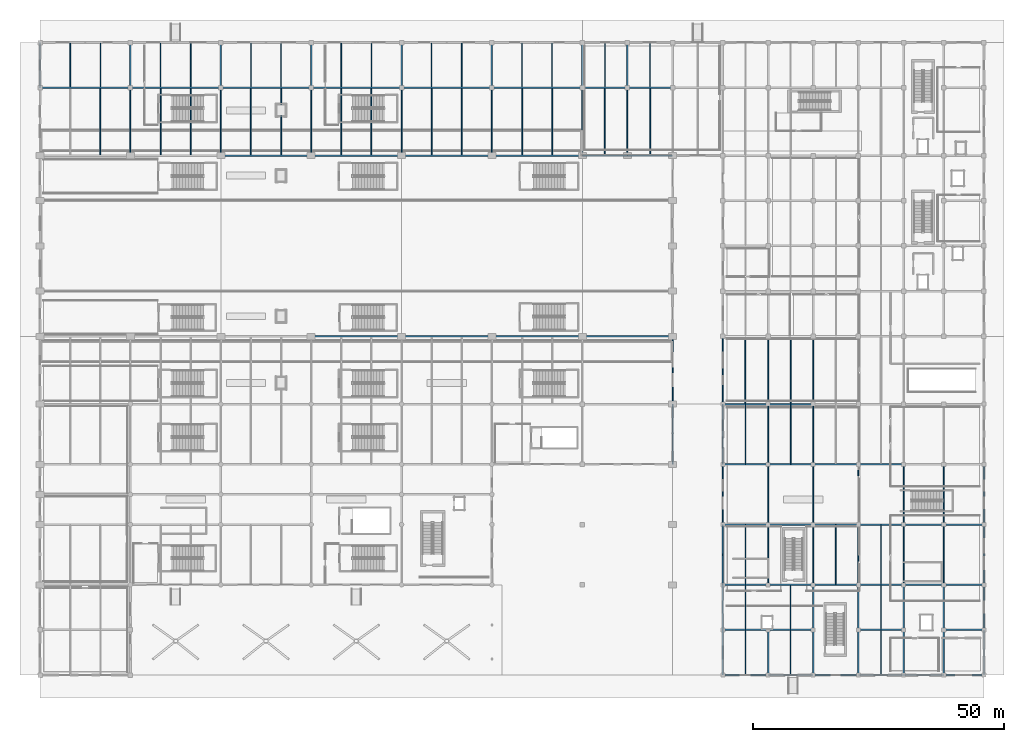
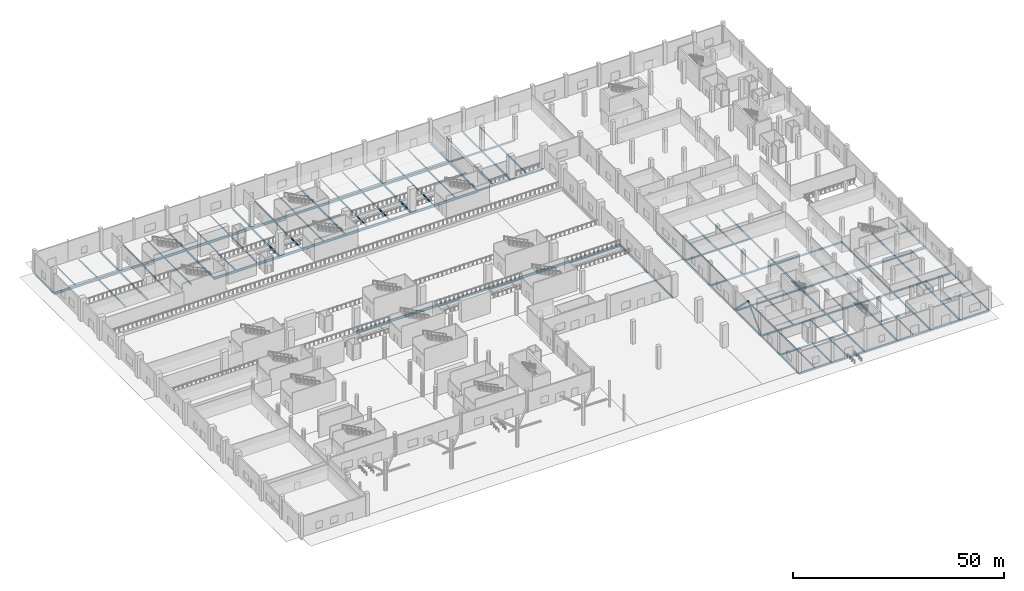
# One storey, part 9 of 65: 136 beams, 2 members.
"""IFC4 building model written with IfcOpenShell, lengths in metres."""

from ifc_helpers import new_model, si_unit, direction, frame, origin, origin_2d, place, context, subcontext, project, spatial, i_section, extrude, material, material_profile, profile_set, type_object, element, save


model = new_model("IFC4")

# Units and contexts
model_context = context("Model", 3, precision=1e-05, world=origin(), true_north=direction((0.0, 1.0)))
body_context = subcontext(model_context, "Body", "Model", "MODEL_VIEW")
ifc_project = project(units=[si_unit("LENGTHUNIT", "METRE"), si_unit("AREAUNIT", "SQUARE_METRE"), si_unit("VOLUMEUNIT", "CUBIC_METRE"), si_unit("PLANEANGLEUNIT", "RADIAN"), si_unit("MASSUNIT", "GRAM", prefix="KILO")], contexts=[model_context])

# Site, building, storey
site_placement = place(None, origin())
site = spatial("IfcSite", under=ifc_project, at=site_placement, CompositionType="ELEMENT")
building_placement = place(site_placement, origin())
building = spatial("IfcBuilding", under=site, at=building_placement, Name="Chuanluo Vaults Station", CompositionType="ELEMENT")
storey_placement = place(building_placement, origin())
storey = spatial("IfcBuildingStorey", under=building, at=storey_placement, Name="L00", CompositionType="ELEMENT", Elevation=0.0)

# Beams
ifc_material_1 = material(Name="Steel Q355C", Category="steel")
ifc_material_profile_1 = material_profile(ifc_material_1, i_section(OverallWidth=0.300048828125, OverallDepth=0.389892578125, WebThickness=0.010009765625, FlangeThickness=0.01611328125, FilletRadius=0.02001953125, at=origin_2d()))
ifc_profile_set_1 = profile_set([ifc_material_profile_1], Name="Steel Q355C")
beam_type_1 = type_object("IfcBeamType", Name="BM-GRD-400", PredefinedType="BEAM", material=ifc_profile_set_1)
for number, where, z_axis, x_axis, name in (
    (1, (18.0, 117.0, -0.514892578125), (0.0, 1.0, 0.0), (-1.0, 0.0, 0.0), "Floor girder BM:GY:L00:0157"),
    (2, (36.0, 117.0, -0.514892578125), (0.0, 1.0, 0.0), (-1.0, 0.0, 0.0), "Floor girder BM:GY:L00:0164"),
    (3, (54.0, 117.0, -0.514892578125), (0.0, 1.0, 0.0), (-1.0, 0.0, 0.0), "Floor girder BM:GY:L00:0171"),
    (4, (72.0, 117.0, -0.514892578125), (0.0, 1.0, 0.0), (-1.0, 0.0, 0.0), "Floor girder BM:GY:L00:0178"),
    (5, (90.0, 117.0, -0.514892578125), (0.0, 1.0, 0.0), (-1.0, 0.0, 0.0), "Floor girder BM:GY:L00:0185"),
    (6, (108.0, 117.0, -0.514892578125), (0.0, 1.0, 0.0), (-1.0, 0.0, 0.0), "Floor girder BM:GY:L00:0189"),
    (7, (117.0, 117.0, -0.514892578125), (0.0, 1.0, 0.0), (-1.0, 0.0, 0.0), "Floor girder BM:GY:L00:0191"),
    (8, (136.0, 0.0, -0.4951171875), (0.0, 1.0, 0.0), (-1.0, 0.0, 0.0), "Floor girder BM:GY:L00:0198"),
    (9, (136.0, 9.0, -0.4951171875), (0.0, 1.0, 0.0), (-1.0, 0.0, 0.0), "Floor girder BM:GY:L00:0199"),
    (10, (145.0, 0.0, -0.4951171875), (0.0, 1.0, 0.0), (-1.0, 0.0, 0.0), "Floor girder BM:GY:L00:0210"),
    (11, (154.0, 0.0, -0.4951171875), (0.0, 1.0, 0.0), (-1.0, 0.0, 0.0), "Floor girder BM:GY:L00:0221"),
    (12, (154.0, 9.0, -0.4951171875), (0.0, 1.0, 0.0), (-1.0, 0.0, 0.0), "Floor girder BM:GY:L00:0222"),
    (13, (163.0, 0.0, -0.4951171875), (0.0, 1.0, 0.0), (-1.0, 0.0, 0.0), "Floor girder BM:GY:L00:0232"),
    (14, (163.0, 9.0, -0.4951171875), (0.0, 1.0, 0.0), (-1.0, 0.0, 0.0), "Floor girder BM:GY:L00:0233"),
    (15, (172.0, 0.0, -0.4951171875), (0.0, 1.0, 0.0), (-1.0, 0.0, 0.0), "Floor girder BM:GY:L00:0244"),
    (16, (172.0, 9.0, -0.4951171875), (0.0, 1.0, 0.0), (-1.0, 0.0, 0.0), "Floor girder BM:GY:L00:0245"),
    (17, (180.0, 0.0, -0.4951171875), (0.0, 1.0, 0.0), (-1.0, 0.0, 0.0), "Floor girder BM:GY:L00:0256"),
    (18, (180.0, 9.0, -0.4951171875), (0.0, 1.0, 0.0), (-1.0, 0.0, 0.0), "Floor girder BM:GY:L00:0257"),
):
    element("IfcBeam", number, at=place(storey_placement, frame(where, z_axis=z_axis, x_axis=x_axis)), inside=storey, type_object=beam_type_1, Name=name, PredefinedType="BEAM", context=body_context, shape_type="SweptSolid", body=[
        extrude(i_section(OverallWidth=0.300048828125, OverallDepth=0.389892578125, WebThickness=0.010009765625, FlangeThickness=0.01611328125, FilletRadius=0.02001953125, at=origin_2d()), origin(), (0.0, 0.0, 1.0), 9.0),
    ])
ifc_material_2 = material(Name="Steel Q355C", Category="steel")
ifc_material_profile_2 = material_profile(ifc_material_2, i_section(OverallWidth=0.300048828125, OverallDepth=0.43994140625, WebThickness=0.010986328125, FlangeThickness=0.01806640625, FilletRadius=0.02001953125, at=origin_2d()))
ifc_profile_set_2 = profile_set([ifc_material_profile_2], Name="Steel Q355C")
beam_type_2 = type_object("IfcBeamType", Name="BM-GRD-450", PredefinedType="USERDEFINED", material=ifc_profile_set_2)
for number, where, z_axis, x_axis, name in (
    (19, (136.0, 9.0, -0.52001953125), (1.0, 0.0, 0.0), (0.0, 1.0, 0.0), "Floor girder BM:GX:L00:0009"),
    (20, (145.0, 9.0, -0.52001953125), (1.0, 0.0, 0.0), (0.0, 1.0, 0.0), "Floor girder BM:GX:L00:0010"),
    (21, (163.0, 9.0, -0.52001953125), (1.0, 0.0, 0.0), (0.0, 1.0, 0.0), "Floor girder BM:GX:L00:0011"),
):
    element("IfcBeam", number, at=place(storey_placement, frame(where, z_axis=z_axis, x_axis=x_axis)), inside=storey, type_object=beam_type_2, Name=name, ObjectType="GIRDER", PredefinedType="USERDEFINED", context=body_context, shape_type="SweptSolid", body=[
        extrude(i_section(OverallWidth=0.300048828125, OverallDepth=0.43994140625, WebThickness=0.010986328125, FlangeThickness=0.01806640625, FilletRadius=0.02001953125, at=origin_2d()), origin(), (0.0, 0.0, 1.0), 9.0),
    ])
beam_1_placement = place(storey_placement, frame((180.0, 9.0, -0.52001953125), z_axis=(1.0, 0.0, 0.0), x_axis=(0.0, 1.0, 0.0)))
element("IfcBeam", 22, at=beam_1_placement, inside=storey, type_object=beam_type_2, Name="Floor girder BM:GX:L00:0012", ObjectType="GIRDER", PredefinedType="USERDEFINED", context=body_context, shape_type="SweptSolid", body=[
    extrude(i_section(OverallWidth=0.300048828125, OverallDepth=0.43994140625, WebThickness=0.010986328125, FlangeThickness=0.01806640625, FilletRadius=0.02001953125, at=origin_2d()), origin(), (0.0, 0.0, 1.0), 8.0),
])
for number, where, z_axis, x_axis, name in (
    (23, (136.0, 18.0, -0.52001953125), (1.0, 0.0, 0.0), (0.0, 1.0, 0.0), "Floor girder BM:GX:L00:0018"),
    (24, (145.0, 18.0, -0.52001953125), (1.0, 0.0, 0.0), (0.0, 1.0, 0.0), "Floor girder BM:GX:L00:0019"),
    (25, (154.0, 18.0, -0.52001953125), (1.0, 0.0, 0.0), (0.0, 1.0, 0.0), "Floor girder BM:GX:L00:0020"),
    (26, (163.0, 18.0, -0.52001953125), (1.0, 0.0, 0.0), (0.0, 1.0, 0.0), "Floor girder BM:GX:L00:0021"),
):
    element("IfcBeam", number, at=place(storey_placement, frame(where, z_axis=z_axis, x_axis=x_axis)), inside=storey, type_object=beam_type_2, Name=name, ObjectType="GIRDER", PredefinedType="USERDEFINED", context=body_context, shape_type="SweptSolid", body=[
        extrude(i_section(OverallWidth=0.300048828125, OverallDepth=0.43994140625, WebThickness=0.010986328125, FlangeThickness=0.01806640625, FilletRadius=0.02001953125, at=origin_2d()), origin(), (0.0, 0.0, 1.0), 9.0),
    ])
for number, where, z_axis, x_axis, name in (
    (27, (172.0, 18.0, -0.52001953125), (1.0, 0.0, 0.0), (0.0, 1.0, 0.0), "Floor girder BM:GX:L00:0022"),
    (28, (180.0, 18.0, -0.52001953125), (1.0, 0.0, 0.0), (0.0, 1.0, 0.0), "Floor girder BM:GX:L00:0023"),
):
    element("IfcBeam", number, at=place(storey_placement, frame(where, z_axis=z_axis, x_axis=x_axis)), inside=storey, type_object=beam_type_2, Name=name, ObjectType="GIRDER", PredefinedType="USERDEFINED", context=body_context, shape_type="SweptSolid", body=[
        extrude(i_section(OverallWidth=0.300048828125, OverallDepth=0.43994140625, WebThickness=0.010986328125, FlangeThickness=0.01806640625, FilletRadius=0.02001953125, at=origin_2d()), origin(), (0.0, 0.0, 1.0), 8.0),
    ])
for number, where, z_axis, x_axis, name in (
    (29, (136.0, 30.0, -0.52001953125), (1.0, 0.0, 0.0), (0.0, 1.0, 0.0), "Floor girder BM:GX:L00:0027"),
    (30, (145.0, 30.0, -0.52001953125), (1.0, 0.0, 0.0), (0.0, 1.0, 0.0), "Floor girder BM:GX:L00:0028"),
    (31, (154.0, 30.0, -0.52001953125), (1.0, 0.0, 0.0), (0.0, 1.0, 0.0), "Floor girder BM:GX:L00:0029"),
    (32, (163.0, 30.0, -0.52001953125), (1.0, 0.0, 0.0), (0.0, 1.0, 0.0), "Floor girder BM:GX:L00:0030"),
):
    element("IfcBeam", number, at=place(storey_placement, frame(where, z_axis=z_axis, x_axis=x_axis)), inside=storey, type_object=beam_type_2, Name=name, ObjectType="GIRDER", PredefinedType="USERDEFINED", context=body_context, shape_type="SweptSolid", body=[
        extrude(i_section(OverallWidth=0.300048828125, OverallDepth=0.43994140625, WebThickness=0.010986328125, FlangeThickness=0.01806640625, FilletRadius=0.02001953125, at=origin_2d()), origin(), (0.0, 0.0, 1.0), 9.0),
    ])
for number, where, z_axis, x_axis, name in (
    (33, (172.0, 30.0, -0.52001953125), (1.0, 0.0, 0.0), (0.0, 1.0, 0.0), "Floor girder BM:GX:L00:0031"),
    (34, (180.0, 30.0, -0.52001953125), (1.0, 0.0, 0.0), (0.0, 1.0, 0.0), "Floor girder BM:GX:L00:0032"),
):
    element("IfcBeam", number, at=place(storey_placement, frame(where, z_axis=z_axis, x_axis=x_axis)), inside=storey, type_object=beam_type_2, Name=name, ObjectType="GIRDER", PredefinedType="USERDEFINED", context=body_context, shape_type="SweptSolid", body=[
        extrude(i_section(OverallWidth=0.300048828125, OverallDepth=0.43994140625, WebThickness=0.010986328125, FlangeThickness=0.01806640625, FilletRadius=0.02001953125, at=origin_2d()), origin(), (0.0, 0.0, 1.0), 8.0),
    ])
for number, where, z_axis, x_axis, name in (
    (35, (136.0, 42.0, -0.52001953125), (1.0, 0.0, 0.0), (0.0, 1.0, 0.0), "Floor girder BM:GX:L00:0045"),
    (36, (145.0, 42.0, -0.52001953125), (1.0, 0.0, 0.0), (0.0, 1.0, 0.0), "Floor girder BM:GX:L00:0046"),
    (37, (154.0, 42.0, -0.52001953125), (1.0, 0.0, 0.0), (0.0, 1.0, 0.0), "Floor girder BM:GX:L00:0047"),
    (38, (163.0, 42.0, -0.52001953125), (1.0, 0.0, 0.0), (0.0, 1.0, 0.0), "Floor girder BM:GX:L00:0048"),
    (39, (136.0, 54.0, -0.52001953125), (1.0, 0.0, 0.0), (0.0, 1.0, 0.0), "Floor girder BM:GX:L00:0058"),
    (40, (145.0, 54.0, -0.52001953125), (1.0, 0.0, 0.0), (0.0, 1.0, 0.0), "Floor girder BM:GX:L00:0059"),
    (41, (108.0, 103.5, -0.60009765625), (1.0, 0.0, 0.0), (0.0, 1.0, 0.0), "Floor girder BM:GX:L00:0100"),
    (42, (117.0, 103.5, -0.60009765625), (1.0, 0.0, 0.0), (0.0, 1.0, 0.0), "Floor girder BM:GX:L00:0101"),
    (43, (108.0, 117.0, -0.5400390625), (1.0, 0.0, 0.0), (0.0, 1.0, 0.0), "Floor girder BM:GX:L00:0115"),
    (44, (117.0, 117.0, -0.5400390625), (1.0, 0.0, 0.0), (0.0, 1.0, 0.0), "Floor girder BM:GX:L00:0116"),
):
    element("IfcBeam", number, at=place(storey_placement, frame(where, z_axis=z_axis, x_axis=x_axis)), inside=storey, type_object=beam_type_2, Name=name, ObjectType="GIRDER", PredefinedType="USERDEFINED", context=body_context, shape_type="SweptSolid", body=[
        extrude(i_section(OverallWidth=0.300048828125, OverallDepth=0.43994140625, WebThickness=0.010986328125, FlangeThickness=0.01806640625, FilletRadius=0.02001953125, at=origin_2d()), origin(), (0.0, 0.0, 1.0), 9.0),
    ])
ifc_material_3 = material(Name="Steel Q355C", Category="steel")
ifc_material_profile_3 = material_profile(ifc_material_3, i_section(OverallWidth=0.199951171875, OverallDepth=0.550048828125, WebThickness=0.010009765625, FlangeThickness=0.01611328125, FilletRadius=0.01806640625, at=origin_2d()))
ifc_profile_set_3 = profile_set([ifc_material_profile_3], Name="Steel Q355C")
beam_type_3 = type_object("IfcBeamType", Name="BM-GRD-550", PredefinedType="USERDEFINED", material=ifc_profile_set_3)
for number, where, z_axis, x_axis, name in (
    (45, (126.0, 42.0, -0.625), (0.0, 1.0, 0.0), (-1.0, 0.0, 0.0), "Floor girder BM:GY:L00:0192"),
    (46, (136.0, 18.0, -0.574951171875), (0.0, 1.0, 0.0), (-1.0, 0.0, 0.0), "Floor girder BM:GY:L00:0200"),
    (47, (136.0, 30.0, -0.574951171875), (0.0, 1.0, 0.0), (-1.0, 0.0, 0.0), "Floor girder BM:GY:L00:0201"),
    (48, (136.0, 42.0, -0.574951171875), (0.0, 1.0, 0.0), (-1.0, 0.0, 0.0), "Floor girder BM:GY:L00:0202"),
    (49, (145.0, 18.0, -0.574951171875), (0.0, 1.0, 0.0), (-1.0, 0.0, 0.0), "Floor girder BM:GY:L00:0211"),
    (50, (145.0, 30.0, -0.574951171875), (0.0, 1.0, 0.0), (-1.0, 0.0, 0.0), "Floor girder BM:GY:L00:0212"),
    (51, (145.0, 42.0, -0.574951171875), (0.0, 1.0, 0.0), (-1.0, 0.0, 0.0), "Floor girder BM:GY:L00:0213"),
    (52, (154.0, 18.0, -0.574951171875), (0.0, 1.0, 0.0), (-1.0, 0.0, 0.0), "Floor girder BM:GY:L00:0223"),
    (53, (154.0, 30.0, -0.574951171875), (0.0, 1.0, 0.0), (-1.0, 0.0, 0.0), "Floor girder BM:GY:L00:0224"),
    (54, (154.0, 42.0, -0.574951171875), (0.0, 1.0, 0.0), (-1.0, 0.0, 0.0), "Floor girder BM:GY:L00:0225"),
    (55, (163.0, 18.0, -0.574951171875), (0.0, 1.0, 0.0), (-1.0, 0.0, 0.0), "Floor girder BM:GY:L00:0234"),
    (56, (163.0, 30.0, -0.574951171875), (0.0, 1.0, 0.0), (-1.0, 0.0, 0.0), "Floor girder BM:GY:L00:0235"),
    (57, (172.0, 18.0, -0.574951171875), (0.0, 1.0, 0.0), (-1.0, 0.0, 0.0), "Floor girder BM:GY:L00:0246"),
    (58, (172.0, 30.0, -0.574951171875), (0.0, 1.0, 0.0), (-1.0, 0.0, 0.0), "Floor girder BM:GY:L00:0247"),
    (59, (180.0, 18.0, -0.574951171875), (0.0, 1.0, 0.0), (-1.0, 0.0, 0.0), "Floor girder BM:GY:L00:0258"),
    (60, (180.0, 30.0, -0.574951171875), (0.0, 1.0, 0.0), (-1.0, 0.0, 0.0), "Floor girder BM:GY:L00:0259"),
):
    element("IfcBeam", number, at=place(storey_placement, frame(where, z_axis=z_axis, x_axis=x_axis)), inside=storey, type_object=beam_type_3, Name=name, ObjectType="GIRDER", PredefinedType="USERDEFINED", context=body_context, shape_type="SweptSolid", body=[
        extrude(i_section(OverallWidth=0.199951171875, OverallDepth=0.550048828125, WebThickness=0.010009765625, FlangeThickness=0.01611328125, FilletRadius=0.01806640625, at=origin_2d()), origin(), (0.0, 0.0, 1.0), 12.0),
    ])
ifc_material_4 = material(Name="Steel Q355C", Category="steel")
ifc_material_profile_4 = material_profile(ifc_material_4, i_section(OverallWidth=0.199951171875, OverallDepth=0.60009765625, WebThickness=0.010986328125, FlangeThickness=0.01708984375, FilletRadius=0.01806640625, at=origin_2d()))
ifc_profile_set_4 = profile_set([ifc_material_profile_4], Name="Steel Q355C")
beam_type_4 = type_object("IfcBeamType", Name="BM-GRD-600", PredefinedType="USERDEFINED", material=ifc_profile_set_4)
for number, where, z_axis, x_axis, name in (
    (61, (18.0, 103.5, -0.679931640625), (0.0, 1.0, 0.0), (-1.0, 0.0, 0.0), "Floor girder BM:GY:L00:0156"),
    (62, (36.0, 103.5, -0.679931640625), (0.0, 1.0, 0.0), (-1.0, 0.0, 0.0), "Floor girder BM:GY:L00:0163"),
    (63, (54.0, 103.5, -0.679931640625), (0.0, 1.0, 0.0), (-1.0, 0.0, 0.0), "Floor girder BM:GY:L00:0170"),
    (64, (72.0, 103.5, -0.679931640625), (0.0, 1.0, 0.0), (-1.0, 0.0, 0.0), "Floor girder BM:GY:L00:0177"),
    (65, (90.0, 103.5, -0.679931640625), (0.0, 1.0, 0.0), (-1.0, 0.0, 0.0), "Floor girder BM:GY:L00:0184"),
    (66, (108.0, 103.5, -0.679931640625), (0.0, 1.0, 0.0), (-1.0, 0.0, 0.0), "Floor girder BM:GY:L00:0188"),
    (67, (117.0, 103.5, -0.6201171875), (0.0, 1.0, 0.0), (-1.0, 0.0, 0.0), "Floor girder BM:GY:L00:0190"),
    (68, (126.0, 54.0, -0.679931640625), (0.0, 1.0, 0.0), (-1.0, 0.0, 0.0), "Floor girder BM:GY:L00:0193"),
    (69, (136.0, 54.0, -0.60009765625), (0.0, 1.0, 0.0), (-1.0, 0.0, 0.0), "Floor girder BM:GY:L00:0203"),
    (70, (145.0, 54.0, -0.60009765625), (0.0, 1.0, 0.0), (-1.0, 0.0, 0.0), "Floor girder BM:GY:L00:0214"),
    (71, (154.0, 54.0, -0.60009765625), (0.0, 1.0, 0.0), (-1.0, 0.0, 0.0), "Floor girder BM:GY:L00:0226"),
):
    element("IfcBeam", number, at=place(storey_placement, frame(where, z_axis=z_axis, x_axis=x_axis)), inside=storey, type_object=beam_type_4, Name=name, ObjectType="GIRDER", PredefinedType="USERDEFINED", context=body_context, shape_type="SweptSolid", body=[
        extrude(i_section(OverallWidth=0.199951171875, OverallDepth=0.60009765625, WebThickness=0.010986328125, FlangeThickness=0.01708984375, FilletRadius=0.01806640625, at=origin_2d()), origin(), (0.0, 0.0, 1.0), 13.5),
    ])
ifc_material_5 = material(Name="Steel Q355C", Category="steel")
ifc_material_profile_5 = material_profile(ifc_material_5, i_section(OverallWidth=0.300048828125, OverallDepth=0.699951171875, WebThickness=0.012939453125, FlangeThickness=0.02392578125, FilletRadius=0.02197265625, at=origin_2d()))
ifc_profile_set_5 = profile_set([ifc_material_profile_5], Name="Steel Q355C")
beam_type_5 = type_object("IfcBeamType", Name="BM-GRD-700", PredefinedType="USERDEFINED", material=ifc_profile_set_5)
for number, where, z_axis, x_axis, name in (
    (72, (54.0, 67.5, -0.72998046875), (1.0, 0.0, 0.0), (0.0, 1.0, 0.0), "Floor girder BM:GX:L00:0067"),
    (73, (72.0, 67.5, -0.72998046875), (1.0, 0.0, 0.0), (0.0, 1.0, 0.0), "Floor girder BM:GX:L00:0068"),
    (74, (90.0, 67.5, -0.72998046875), (1.0, 0.0, 0.0), (0.0, 1.0, 0.0), "Floor girder BM:GX:L00:0069"),
    (75, (108.0, 67.5, -0.72998046875), (1.0, 0.0, 0.0), (0.0, 1.0, 0.0), "Floor girder BM:GX:L00:0070"),
    (76, (36.0, 103.5, -0.72998046875), (1.0, 0.0, 0.0), (0.0, 1.0, 0.0), "Floor girder BM:GX:L00:0096"),
    (77, (54.0, 103.5, -0.72998046875), (1.0, 0.0, 0.0), (0.0, 1.0, 0.0), "Floor girder BM:GX:L00:0097"),
    (78, (72.0, 103.5, -0.72998046875), (1.0, 0.0, 0.0), (0.0, 1.0, 0.0), "Floor girder BM:GX:L00:0098"),
    (79, (90.0, 103.5, -0.72998046875), (1.0, 0.0, 0.0), (0.0, 1.0, 0.0), "Floor girder BM:GX:L00:0099"),
    (80, (0.0, 117.0, -0.72998046875), (1.0, 0.0, 0.0), (0.0, 1.0, 0.0), "Floor girder BM:GX:L00:0109"),
    (81, (18.0, 117.0, -0.72998046875), (1.0, 0.0, 0.0), (0.0, 1.0, 0.0), "Floor girder BM:GX:L00:0110"),
    (82, (36.0, 117.0, -0.72998046875), (1.0, 0.0, 0.0), (0.0, 1.0, 0.0), "Floor girder BM:GX:L00:0111"),
    (83, (54.0, 117.0, -0.72998046875), (1.0, 0.0, 0.0), (0.0, 1.0, 0.0), "Floor girder BM:GX:L00:0112"),
    (84, (72.0, 117.0, -0.72998046875), (1.0, 0.0, 0.0), (0.0, 1.0, 0.0), "Floor girder BM:GX:L00:0113"),
    (85, (90.0, 117.0, -0.72998046875), (1.0, 0.0, 0.0), (0.0, 1.0, 0.0), "Floor girder BM:GX:L00:0114"),
):
    element("IfcBeam", number, at=place(storey_placement, frame(where, z_axis=z_axis, x_axis=x_axis)), inside=storey, type_object=beam_type_5, Name=name, ObjectType="GIRDER", PredefinedType="USERDEFINED", context=body_context, shape_type="SweptSolid", body=[
        extrude(i_section(OverallWidth=0.300048828125, OverallDepth=0.699951171875, WebThickness=0.012939453125, FlangeThickness=0.02392578125, FilletRadius=0.02197265625, at=origin_2d()), origin(), (0.0, 0.0, 1.0), 18.0),
    ])
ifc_material_6 = material(Name="Steel Q355C", Category="steel")
ifc_material_profile_6 = material_profile(ifc_material_6, i_section(OverallWidth=0.125, OverallDepth=0.25, WebThickness=0.006103515625, FlangeThickness=0.009033203125, FilletRadius=0.011962890625, at=origin_2d()))
ifc_profile_set_6 = profile_set([ifc_material_profile_6], Name="Steel Q355C")
beam_type_6 = type_object("IfcBeamType", Name="BM-SEC-250", PredefinedType="JOIST", material=ifc_profile_set_6)
for number, where, z_axis, x_axis, name in (
    (86, (6.0, 117.155029296875, -0.445068359375), (0.0, 1.0, 0.0), (-1.0, 0.0, 0.0), "Composite secondary joist 0013"),
    (87, (12.0, 117.155029296875, -0.445068359375), (0.0, 1.0, 0.0), (-1.0, 0.0, 0.0), "Composite secondary joist 0014"),
    (88, (24.0, 117.155029296875, -0.445068359375), (0.0, 1.0, 0.0), (-1.0, 0.0, 0.0), "Composite secondary joist 0023"),
    (89, (30.0, 117.155029296875, -0.445068359375), (0.0, 1.0, 0.0), (-1.0, 0.0, 0.0), "Composite secondary joist 0024"),
    (90, (42.0, 117.155029296875, -0.445068359375), (0.0, 1.0, 0.0), (-1.0, 0.0, 0.0), "Composite secondary joist 0033"),
    (91, (48.0, 117.155029296875, -0.445068359375), (0.0, 1.0, 0.0), (-1.0, 0.0, 0.0), "Composite secondary joist 0034"),
    (92, (60.0, 117.155029296875, -0.445068359375), (0.0, 1.0, 0.0), (-1.0, 0.0, 0.0), "Composite secondary joist 0041"),
    (93, (66.0, 117.155029296875, -0.445068359375), (0.0, 1.0, 0.0), (-1.0, 0.0, 0.0), "Composite secondary joist 0042"),
    (94, (78.0, 117.155029296875, -0.445068359375), (0.0, 1.0, 0.0), (-1.0, 0.0, 0.0), "Composite secondary joist 0049"),
    (95, (84.0, 117.155029296875, -0.445068359375), (0.0, 1.0, 0.0), (-1.0, 0.0, 0.0), "Composite secondary joist 0050"),
    (96, (96.0, 117.155029296875, -0.445068359375), (0.0, 1.0, 0.0), (-1.0, 0.0, 0.0), "Composite secondary joist 0056"),
    (97, (102.0, 117.155029296875, -0.445068359375), (0.0, 1.0, 0.0), (-1.0, 0.0, 0.0), "Composite secondary joist 0057"),
):
    element("IfcBeam", number, at=place(storey_placement, frame(where, z_axis=z_axis, x_axis=x_axis)), inside=storey, type_object=beam_type_6, Name=name, PredefinedType="JOIST", context=body_context, shape_type="SweptSolid", body=[
        extrude(i_section(OverallWidth=0.125, OverallDepth=0.25, WebThickness=0.006103515625, FlangeThickness=0.009033203125, FilletRadius=0.011962890625, at=origin_2d()), origin(), (0.0, 0.0, 1.0), 8.73486328125),
    ])
for number, where, z_axis, x_axis, name in (
    (98, (112.5, 117.155029296875, -0.445068359375), (0.0, 1.0, 0.0), (-1.0, 0.0, 0.0), "Composite secondary joist 0059"),
    (99, (121.5, 117.155029296875, -0.445068359375), (0.0, 1.0, 0.0), (-1.0, 0.0, 0.0), "Composite secondary joist 0061"),
    (100, (140.5, 0.107421875, -0.425048828125), (0.0, 1.0, 0.0), (-1.0, 0.0, 0.0), "Composite secondary joist 0064"),
):
    element("IfcBeam", number, at=place(storey_placement, frame(where, z_axis=z_axis, x_axis=x_axis)), inside=storey, type_object=beam_type_6, Name=name, PredefinedType="JOIST", context=body_context, shape_type="SweptSolid", body=[
        extrude(i_section(OverallWidth=0.125, OverallDepth=0.25, WebThickness=0.006103515625, FlangeThickness=0.009033203125, FilletRadius=0.011962890625, at=origin_2d()), origin(), (0.0, 0.0, 1.0), 8.737548828125),
    ])
beam_2_placement = place(storey_placement, frame((140.5, 9.155029296875, -0.425048828125), z_axis=(0.0, 1.0, 0.0), x_axis=(-1.0, 0.0, 0.0)))
element("IfcBeam", 101, at=beam_2_placement, inside=storey, type_object=beam_type_6, Name="Composite secondary joist 0065", PredefinedType="JOIST", context=body_context, shape_type="SweptSolid", body=[
    extrude(i_section(OverallWidth=0.125, OverallDepth=0.25, WebThickness=0.006103515625, FlangeThickness=0.009033203125, FilletRadius=0.011962890625, at=origin_2d()), origin(), (0.0, 0.0, 1.0), 8.68994140625),
])
beam_3_placement = place(storey_placement, frame((149.5, 0.107421875, -0.425048828125), z_axis=(0.0, 1.0, 0.0), x_axis=(-1.0, 0.0, 0.0)))
element("IfcBeam", 102, at=beam_3_placement, inside=storey, type_object=beam_type_6, Name="Composite secondary joist 0075", PredefinedType="JOIST", context=body_context, shape_type="SweptSolid", body=[
    extrude(i_section(OverallWidth=0.125, OverallDepth=0.25, WebThickness=0.006103515625, FlangeThickness=0.009033203125, FilletRadius=0.011962890625, at=origin_2d()), origin(), (0.0, 0.0, 1.0), 8.737548828125),
])
beam_4_placement = place(storey_placement, frame((149.5, 9.155029296875, -0.425048828125), z_axis=(0.0, 1.0, 0.0), x_axis=(-1.0, 0.0, 0.0)))
element("IfcBeam", 103, at=beam_4_placement, inside=storey, type_object=beam_type_6, Name="Composite secondary joist 0076", PredefinedType="JOIST", context=body_context, shape_type="SweptSolid", body=[
    extrude(i_section(OverallWidth=0.125, OverallDepth=0.25, WebThickness=0.006103515625, FlangeThickness=0.009033203125, FilletRadius=0.011962890625, at=origin_2d()), origin(), (0.0, 0.0, 1.0), 8.68994140625),
])
beam_5_placement = place(storey_placement, frame((167.5, 0.107421875, -0.425048828125), z_axis=(0.0, 1.0, 0.0), x_axis=(-1.0, 0.0, 0.0)))
element("IfcBeam", 104, at=beam_5_placement, inside=storey, type_object=beam_type_6, Name="Composite secondary joist 0093", PredefinedType="JOIST", context=body_context, shape_type="SweptSolid", body=[
    extrude(i_section(OverallWidth=0.125, OverallDepth=0.25, WebThickness=0.006103515625, FlangeThickness=0.009033203125, FilletRadius=0.011962890625, at=origin_2d()), origin(), (0.0, 0.0, 1.0), 8.737548828125),
])
beam_6_placement = place(storey_placement, frame((167.5, 9.155029296875, -0.425048828125), z_axis=(0.0, 1.0, 0.0), x_axis=(-1.0, 0.0, 0.0)))
element("IfcBeam", 105, at=beam_6_placement, inside=storey, type_object=beam_type_6, Name="Composite secondary joist 0094", PredefinedType="JOIST", context=body_context, shape_type="SweptSolid", body=[
    extrude(i_section(OverallWidth=0.125, OverallDepth=0.25, WebThickness=0.006103515625, FlangeThickness=0.009033203125, FilletRadius=0.011962890625, at=origin_2d()), origin(), (0.0, 0.0, 1.0), 8.68994140625),
])
ifc_material_7 = material(Name="Steel Q355C", Category="steel")
ifc_material_profile_7 = material_profile(ifc_material_7, i_section(OverallWidth=0.175048828125, OverallDepth=0.35009765625, WebThickness=0.007080078125, FlangeThickness=0.010986328125, FilletRadius=0.013916015625, at=origin_2d()))
ifc_profile_set_7 = profile_set([ifc_material_profile_7], Name="Steel Q355C")
beam_type_7 = type_object("IfcBeamType", Name="BM-SEC-350", PredefinedType="JOIST", material=ifc_profile_set_7)
for number, where, z_axis, x_axis, name in (
    (106, (140.5, 18.155029296875, -0.47509765625), (0.0, 1.0, 0.0), (-1.0, 0.0, 0.0), "Composite secondary joist 0066"),
    (107, (140.5, 42.155029296875, -0.47509765625), (0.0, 1.0, 0.0), (-1.0, 0.0, 0.0), "Composite secondary joist 0067"),
    (108, (149.5, 42.155029296875, -0.47509765625), (0.0, 1.0, 0.0), (-1.0, 0.0, 0.0), "Composite secondary joist 0077"),
    (109, (158.5, 18.155029296875, -0.47509765625), (0.0, 1.0, 0.0), (-1.0, 0.0, 0.0), "Composite secondary joist 0085"),
    (110, (167.5, 18.155029296875, -0.47509765625), (0.0, 1.0, 0.0), (-1.0, 0.0, 0.0), "Composite secondary joist 0095"),
):
    element("IfcBeam", number, at=place(storey_placement, frame(where, z_axis=z_axis, x_axis=x_axis)), inside=storey, type_object=beam_type_7, Name=name, PredefinedType="JOIST", context=body_context, shape_type="SweptSolid", body=[
        extrude(i_section(OverallWidth=0.175048828125, OverallDepth=0.35009765625, WebThickness=0.007080078125, FlangeThickness=0.010986328125, FilletRadius=0.013916015625, at=origin_2d()), origin(), (0.0, 0.0, 1.0), 11.68994140625),
    ])
ifc_material_8 = material(Name="Steel Q355C", Category="steel")
ifc_material_profile_8 = material_profile(ifc_material_8, i_section(OverallWidth=0.199951171875, OverallDepth=0.39990234375, WebThickness=0.008056640625, FlangeThickness=0.012939453125, FilletRadius=0.01611328125, at=origin_2d()))
ifc_profile_set_8 = profile_set([ifc_material_profile_8], Name="Steel Q355C")
beam_type_8 = type_object("IfcBeamType", Name="BM-SEC-400", PredefinedType="BEAM", material=ifc_profile_set_8)
for number, where, z_axis, x_axis, name in (
    (111, (12.0, 103.655029296875, -0.580078125), (0.0, 1.0, 0.0), (-1.0, 0.0, 0.0), "Composite secondary joist 0012"),
    (112, (24.0, 103.655029296875, -0.580078125), (0.0, 1.0, 0.0), (-1.0, 0.0, 0.0), "Composite secondary joist 0021"),
    (113, (30.0, 103.655029296875, -0.580078125), (0.0, 1.0, 0.0), (-1.0, 0.0, 0.0), "Composite secondary joist 0022"),
    (114, (42.0, 103.655029296875, -0.580078125), (0.0, 1.0, 0.0), (-1.0, 0.0, 0.0), "Composite secondary joist 0031"),
    (115, (48.0, 103.655029296875, -0.580078125), (0.0, 1.0, 0.0), (-1.0, 0.0, 0.0), "Composite secondary joist 0032"),
    (116, (60.0, 103.655029296875, -0.580078125), (0.0, 1.0, 0.0), (-1.0, 0.0, 0.0), "Composite secondary joist 0039"),
    (117, (66.0, 103.655029296875, -0.580078125), (0.0, 1.0, 0.0), (-1.0, 0.0, 0.0), "Composite secondary joist 0040"),
    (118, (78.0, 103.655029296875, -0.580078125), (0.0, 1.0, 0.0), (-1.0, 0.0, 0.0), "Composite secondary joist 0047"),
    (119, (84.0, 103.655029296875, -0.580078125), (0.0, 1.0, 0.0), (-1.0, 0.0, 0.0), "Composite secondary joist 0048"),
    (120, (96.0, 103.655029296875, -0.580078125), (0.0, 1.0, 0.0), (-1.0, 0.0, 0.0), "Composite secondary joist 0054"),
    (121, (102.0, 103.655029296875, -0.580078125), (0.0, 1.0, 0.0), (-1.0, 0.0, 0.0), "Composite secondary joist 0055"),
    (122, (112.5, 103.655029296875, -0.52001953125), (0.0, 1.0, 0.0), (-1.0, 0.0, 0.0), "Composite secondary joist 0058"),
    (123, (121.5, 103.655029296875, -0.52001953125), (0.0, 1.0, 0.0), (-1.0, 0.0, 0.0), "Composite secondary joist 0060"),
    (124, (140.5, 54.155029296875, -0.5), (0.0, 1.0, 0.0), (-1.0, 0.0, 0.0), "Composite secondary joist 0068"),
    (125, (149.5, 54.155029296875, -0.5), (0.0, 1.0, 0.0), (-1.0, 0.0, 0.0), "Composite secondary joist 0078"),
):
    element("IfcBeam", number, at=place(storey_placement, frame(where, z_axis=z_axis, x_axis=x_axis)), inside=storey, type_object=beam_type_8, Name=name, PredefinedType="BEAM", context=body_context, shape_type="SweptSolid", body=[
        extrude(i_section(OverallWidth=0.199951171875, OverallDepth=0.39990234375, WebThickness=0.008056640625, FlangeThickness=0.012939453125, FilletRadius=0.01611328125, at=origin_2d()), origin(), (0.0, 0.0, 1.0), 13.18994140625),
    ])
ifc_material_9 = material(Name="Steel Q355C", Category="steel")
ifc_material_profile_9 = material_profile(ifc_material_9, i_section(OverallWidth=0.205078125, OverallDepth=0.4599609375, WebThickness=0.009033203125, FlangeThickness=0.013916015625, FilletRadius=0.01611328125, at=origin_2d()))
ifc_profile_set_9 = profile_set([ifc_material_profile_9], Name="Steel Q355C")
beam_type_9 = type_object("IfcBeamType", Name="BM-SPN-450", PredefinedType="SPANDREL", material=ifc_profile_set_9)
for number, where, z_axis, x_axis, name in (
    (126, (136.0, 0.0, -0.530029296875), (1.0, 0.0, 0.0), (0.0, 1.0, 0.0), "Floor girder BM:GX:L00:0002"),
    (127, (145.0, 0.0, -0.530029296875), (1.0, 0.0, 0.0), (0.0, 1.0, 0.0), "Floor girder BM:GX:L00:0003"),
    (128, (154.0, 0.0, -0.530029296875), (1.0, 0.0, 0.0), (0.0, 1.0, 0.0), "Floor girder BM:GX:L00:0004"),
    (129, (163.0, 0.0, -0.530029296875), (1.0, 0.0, 0.0), (0.0, 1.0, 0.0), "Floor girder BM:GX:L00:0005"),
):
    element("IfcBeam", number, at=place(storey_placement, frame(where, z_axis=z_axis, x_axis=x_axis)), inside=storey, type_object=beam_type_9, Name=name, PredefinedType="SPANDREL", context=body_context, shape_type="SweptSolid", body=[
        extrude(i_section(OverallWidth=0.205078125, OverallDepth=0.4599609375, WebThickness=0.009033203125, FlangeThickness=0.013916015625, FilletRadius=0.01611328125, at=origin_2d()), origin(), (0.0, 0.0, 1.0), 9.0),
    ])
for number, where, z_axis, x_axis, name in (
    (130, (172.0, 0.0, -0.530029296875), (1.0, 0.0, 0.0), (0.0, 1.0, 0.0), "Floor girder BM:GX:L00:0006"),
    (131, (180.0, 0.0, -0.530029296875), (1.0, 0.0, 0.0), (0.0, 1.0, 0.0), "Floor girder BM:GX:L00:0007"),
):
    element("IfcBeam", number, at=place(storey_placement, frame(where, z_axis=z_axis, x_axis=x_axis)), inside=storey, type_object=beam_type_9, Name=name, PredefinedType="SPANDREL", context=body_context, shape_type="SweptSolid", body=[
        extrude(i_section(OverallWidth=0.205078125, OverallDepth=0.4599609375, WebThickness=0.009033203125, FlangeThickness=0.013916015625, FilletRadius=0.01611328125, at=origin_2d()), origin(), (0.0, 0.0, 1.0), 8.0),
    ])
for number, where, z_axis, x_axis, name in (
    (132, (0.0, 117.0, -0.550048828125), (0.0, 1.0, 0.0), (-1.0, 0.0, 0.0), "Floor girder BM:GY:L00:0148"),
    (133, (188.0, 0.0, -0.530029296875), (0.0, 1.0, 0.0), (-1.0, 0.0, 0.0), "Floor girder BM:GY:L00:0267"),
    (134, (188.0, 9.0, -0.530029296875), (0.0, 1.0, 0.0), (-1.0, 0.0, 0.0), "Floor girder BM:GY:L00:0268"),
):
    element("IfcBeam", number, at=place(storey_placement, frame(where, z_axis=z_axis, x_axis=x_axis)), inside=storey, type_object=beam_type_9, Name=name, PredefinedType="SPANDREL", context=body_context, shape_type="SweptSolid", body=[
        extrude(i_section(OverallWidth=0.205078125, OverallDepth=0.4599609375, WebThickness=0.009033203125, FlangeThickness=0.013916015625, FilletRadius=0.01611328125, at=origin_2d()), origin(), (0.0, 0.0, 1.0), 9.0),
    ])
ifc_material_10 = material(Name="Steel Q355C", Category="steel")
ifc_material_profile_10 = material_profile(ifc_material_10, i_section(OverallWidth=0.2099609375, OverallDepth=0.580078125, WebThickness=0.010986328125, FlangeThickness=0.01708984375, FilletRadius=0.01806640625, at=origin_2d()))
ifc_profile_set_10 = profile_set([ifc_material_profile_10], Name="Steel Q355C")
beam_type_10 = type_object("IfcBeamType", Name="BM-SPN-600", PredefinedType="SPANDREL", material=ifc_profile_set_10)
for number, where, z_axis, x_axis, name in (
    (135, (188.0, 18.0, -0.590087890625), (0.0, 1.0, 0.0), (-1.0, 0.0, 0.0), "Floor girder BM:GY:L00:0269"),
    (136, (188.0, 30.0, -0.590087890625), (0.0, 1.0, 0.0), (-1.0, 0.0, 0.0), "Floor girder BM:GY:L00:0270"),
):
    element("IfcBeam", number, at=place(storey_placement, frame(where, z_axis=z_axis, x_axis=x_axis)), inside=storey, type_object=beam_type_10, Name=name, PredefinedType="SPANDREL", context=body_context, shape_type="SweptSolid", body=[
        extrude(i_section(OverallWidth=0.2099609375, OverallDepth=0.580078125, WebThickness=0.010986328125, FlangeThickness=0.01708984375, FilletRadius=0.01806640625, at=origin_2d()), origin(), (0.0, 0.0, 1.0), 12.0),
    ])

# Members
ifc_material_11 = material(Name="Steel Q355C", Category="steel")
ifc_material_profile_11 = material_profile(ifc_material_11, i_section(OverallWidth=0.25, OverallDepth=0.340087890625, WebThickness=0.009033203125, FlangeThickness=0.013916015625, FilletRadius=0.01611328125, at=origin_2d()))
ifc_profile_set_11 = profile_set([ifc_material_profile_11], Name="Steel Q355C")
member_type = type_object("IfcMemberType", Name="MEM-CBR-340", PredefinedType="BRACE", material=ifc_profile_set_11)
for number, where, z_axis, x_axis, name in (
    (137, (136.0, 18.0, 0.0), (0.0, 0.71006206074, 0.704139098401), (-1.0, 0.0, 0.0), "Lateral chevron brace 01"),
    (138, (136.0, 30.0, 0.0), (0.0, -0.71006206074, 0.704139098401), (1.0, 0.0, 0.0), "Lateral chevron brace 02"),
):
    element("IfcMember", number, at=place(storey_placement, frame(where, z_axis=z_axis, x_axis=x_axis)), inside=storey, type_object=member_type, Name=name, PredefinedType="BRACE", context=body_context, shape_type="SweptSolid", body=[
        extrude(i_section(OverallWidth=0.25, OverallDepth=0.340087890625, WebThickness=0.009033203125, FlangeThickness=0.013916015625, FilletRadius=0.01611328125, at=origin_2d()), origin(), (0.0, 0.0, 1.0), 8.449951171875),
    ])

save(model, "model.ifc")
